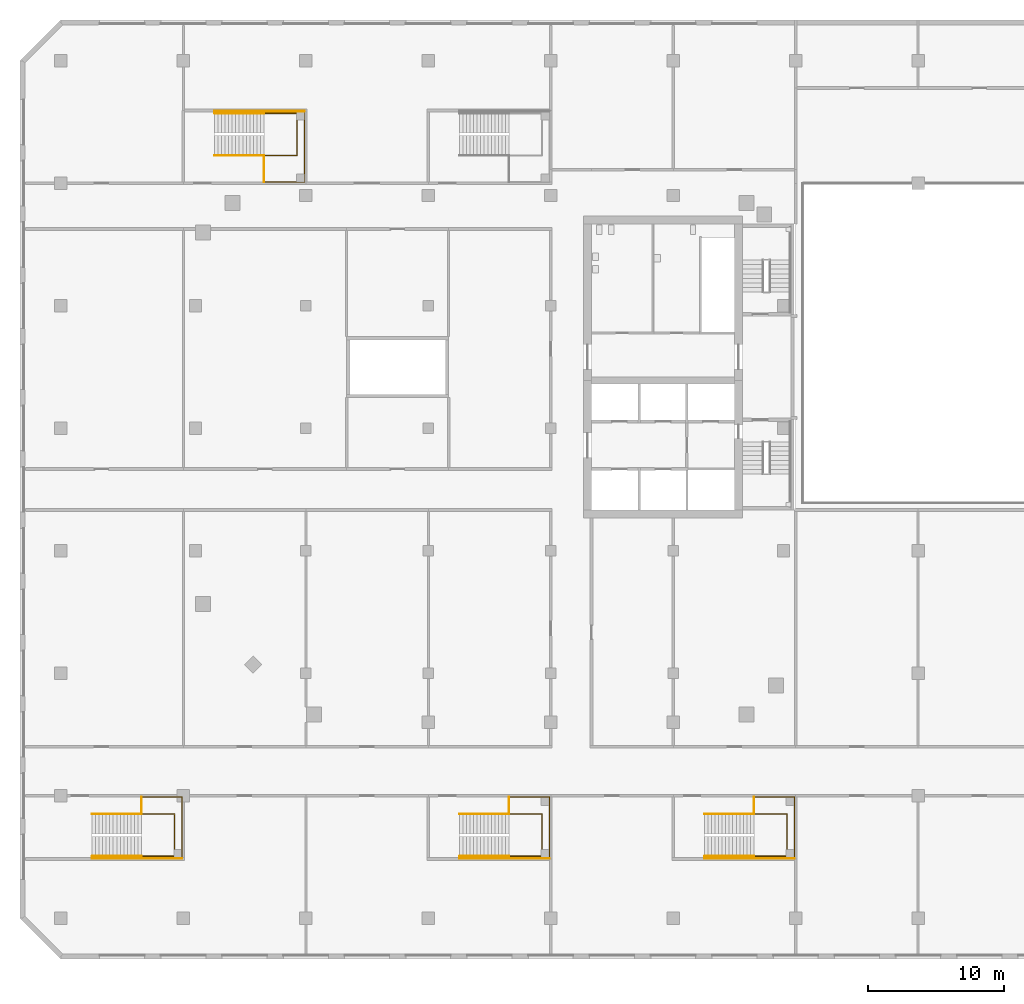
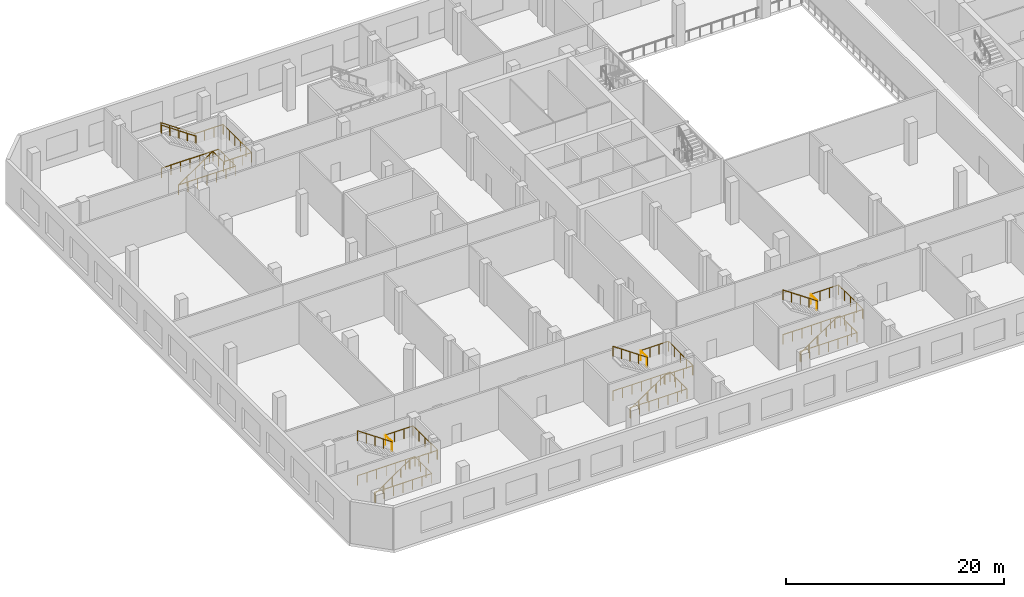
# One storey, part 17 of 21: 24 railings.
"""IFC4 building model written with IfcOpenShell, lengths in metres."""

from ifc_helpers import new_model, si_unit, direction, frame, origin, origin_2d, place, context, subcontext, project, spatial, circle, extrude, material, type_object, element, save


model = new_model("IFC4")

# Units and contexts
model_context = context("Model", 3, precision=1e-05, world=origin(), true_north=direction((0.0, 1.0)))
body_context = subcontext(model_context, "Body", "Model", "MODEL_VIEW")
ifc_project = project(units=[si_unit("LENGTHUNIT", "METRE"), si_unit("AREAUNIT", "SQUARE_METRE"), si_unit("VOLUMEUNIT", "CUBIC_METRE"), si_unit("PLANEANGLEUNIT", "RADIAN"), si_unit("MASSUNIT", "GRAM", prefix="KILO")], contexts=[model_context])

# Site, building, storey
site_placement = place(None, origin())
site = spatial("IfcSite", under=ifc_project, at=site_placement, CompositionType="ELEMENT")
building_placement = place(site_placement, origin())
building = spatial("IfcBuilding", under=site, at=building_placement, Name="Cinnabar Reach Civic Tower", CompositionType="ELEMENT")
storey_placement = place(building_placement, frame((0.0, 0.0, 16.0)))
storey = spatial("IfcBuildingStorey", under=building, at=storey_placement, Name="L03", CompositionType="ELEMENT", Elevation=16.0)

# Railings
ifc_material_1 = material(Name="Stainless steel and glass", Category="steel")
railing_type_1 = type_object("IfcRailingType", Name="Podium guard 1100", PredefinedType="GUARDRAIL", material=ifc_material_1)
railing_1_placement = place(storey_placement, frame((-75.06, -1.35, 2.5)))
element("IfcRailing", 1, at=railing_1_placement, inside=storey, type_object=railing_type_1, Name="Stair guard PS1 L03", PredefinedType="GUARDRAIL", context=body_context, shape_type="SweptSolid", body=[
    extrude(circle(Radius=0.024, at=origin_2d()), frame((0.0, 0.0, 1.076), z_axis=(-0.824306135323, 0.0, 0.566144323711), x_axis=(0.0, -1.0, 0.0)), (0.0, 0.0, 1.0), 4.4158),
    extrude(circle(Radius=0.021, at=origin_2d()), origin(), (0.0, 0.0, 1.0), 1.052),
    extrude(circle(Radius=0.021, at=origin_2d()), frame((-0.91, 0.0, 0.625)), (0.0, 0.0, 1.0), 1.052),
    extrude(circle(Radius=0.021, at=origin_2d()), frame((-1.82, 0.0, 1.25)), (0.0, 0.0, 1.0), 1.052),
    extrude(circle(Radius=0.021, at=origin_2d()), frame((-2.73, 0.0, 1.875)), (0.0, 0.0, 1.0), 1.052),
    extrude(circle(Radius=0.021, at=origin_2d()), frame((-3.64, 0.0, 2.5)), (0.0, 0.0, 1.0), 1.052),
])
railing_2_placement = place(storey_placement, frame((-75.06, -0.1, 2.5)))
element("IfcRailing", 2, at=railing_2_placement, inside=storey, type_object=railing_type_1, Name="Landing guard PS1 L03", PredefinedType="GUARDRAIL", context=body_context, shape_type="SweptSolid", body=[
    extrude(circle(Radius=0.024, at=origin_2d()), frame((0.0, 0.0, 1.076), z_axis=(1.0, 0.0, 0.0), x_axis=(0.0, 1.0, 0.0)), (0.0, 0.0, 1.0), 2.96),
    extrude(circle(Radius=0.024, at=origin_2d()), frame((2.96, 0.0, 1.076), z_axis=(0.0, -1.0, 0.0), x_axis=(1.0, 0.0, 0.0)), (0.0, 0.0, 1.0), 4.4),
    extrude(circle(Radius=0.021, at=origin_2d()), origin(), (0.0, 0.0, 1.0), 1.052),
    extrude(circle(Radius=0.021, at=origin_2d()), frame((0.9867, 0.0, 0.0)), (0.0, 0.0, 1.0), 1.052),
    extrude(circle(Radius=0.021, at=origin_2d()), frame((1.9733, 0.0, 0.0)), (0.0, 0.0, 1.0), 1.052),
    extrude(circle(Radius=0.021, at=origin_2d()), frame((2.96, 0.0, 0.0)), (0.0, 0.0, 1.0), 1.052),
    extrude(circle(Radius=0.021, at=origin_2d()), frame((2.96, -1.1, 0.0)), (0.0, 0.0, 1.0), 1.052),
    extrude(circle(Radius=0.021, at=origin_2d()), frame((2.96, -2.2, 0.0)), (0.0, 0.0, 1.0), 1.052),
    extrude(circle(Radius=0.021, at=origin_2d()), frame((2.96, -3.3, 0.0)), (0.0, 0.0, 1.0), 1.052),
    extrude(circle(Radius=0.021, at=origin_2d()), frame((2.96, -4.4, 0.0)), (0.0, 0.0, 1.0), 1.052),
])
railing_3_placement = place(storey_placement, frame((-75.06, -1.3, 2.5)))
element("IfcRailing", 3, at=railing_3_placement, inside=storey, type_object=railing_type_1, Name="Landing guard PS1 L03 inner", PredefinedType="GUARDRAIL", context=body_context, shape_type="SweptSolid", body=[
    extrude(circle(Radius=0.024, at=origin_2d()), frame((0.0, 0.0, 1.076), z_axis=(0.0, 1.0, 0.0), x_axis=(-1.0, 0.0, 0.0)), (0.0, 0.0, 1.0), 1.2),
    extrude(circle(Radius=0.021, at=origin_2d()), origin(), (0.0, 0.0, 1.0), 1.052),
    extrude(circle(Radius=0.021, at=origin_2d()), frame((0.0, 1.2, 0.0)), (0.0, 0.0, 1.0), 1.052),
])
railing_4_placement = place(storey_placement, frame((-78.7, -4.6, 0.0)))
element("IfcRailing", 4, at=railing_4_placement, inside=storey, type_object=railing_type_1, Name="Stair wall side guard PS1 L03", PredefinedType="GUARDRAIL", context=body_context, shape_type="SweptSolid", body=[
    extrude(circle(Radius=0.024, at=origin_2d()), frame((0.0, 0.0, 1.076), z_axis=(0.824306135323, 0.0, 0.566144323711), x_axis=(0.0, 1.0, 0.0)), (0.0, 0.0, 1.0), 4.4158),
    extrude(circle(Radius=0.024, at=origin_2d()), frame((3.64, 0.0, 3.576), z_axis=(1.0, 0.0, 0.0), x_axis=(0.0, 1.0, 0.0)), (0.0, 0.0, 1.0), 2.96),
    extrude(circle(Radius=0.021, at=origin_2d()), origin(), (0.0, 0.0, 1.0), 1.052),
    extrude(circle(Radius=0.021, at=origin_2d()), frame((0.91, 0.0, 0.625)), (0.0, 0.0, 1.0), 1.052),
    extrude(circle(Radius=0.021, at=origin_2d()), frame((1.82, 0.0, 1.25)), (0.0, 0.0, 1.0), 1.052),
    extrude(circle(Radius=0.021, at=origin_2d()), frame((2.73, 0.0, 1.875)), (0.0, 0.0, 1.0), 1.052),
    extrude(circle(Radius=0.021, at=origin_2d()), frame((3.64, 0.0, 2.5)), (0.0, 0.0, 1.0), 1.052),
    extrude(circle(Radius=0.021, at=origin_2d()), frame((4.6267, 0.0, 2.5)), (0.0, 0.0, 1.0), 1.052),
    extrude(circle(Radius=0.021, at=origin_2d()), frame((5.6133, 0.0, 2.5)), (0.0, 0.0, 1.0), 1.052),
    extrude(circle(Radius=0.021, at=origin_2d()), frame((6.6, 0.0, 2.5)), (0.0, 0.0, 1.0), 1.052),
])
railing_5_placement = place(storey_placement, frame((-78.7, -4.45, 0.0)))
element("IfcRailing", 5, at=railing_5_placement, inside=storey, type_object=railing_type_1, Name="Stair well guard PS1 L03", PredefinedType="GUARDRAIL", context=body_context, shape_type="SweptSolid", body=[
    extrude(circle(Radius=0.024, at=origin_2d()), frame((0.0, 0.0, 1.076), z_axis=(1.0, 0.0, 0.0), x_axis=(0.0, 1.0, 0.0)), (0.0, 0.0, 1.0), 6.05),
    extrude(circle(Radius=0.024, at=origin_2d()), frame((6.05, 0.0, 1.076), z_axis=(0.0, 1.0, 0.0), x_axis=(-1.0, 0.0, 0.0)), (0.0, 0.0, 1.0), 3.1),
    extrude(circle(Radius=0.024, at=origin_2d()), frame((6.05, 3.1, 1.076), z_axis=(-1.0, 0.0, 0.0), x_axis=(0.0, -1.0, 0.0)), (0.0, 0.0, 1.0), 6.05),
    extrude(circle(Radius=0.021, at=origin_2d()), origin(), (0.0, 0.0, 1.0), 1.052),
    extrude(circle(Radius=0.021, at=origin_2d()), frame((1.0083, 0.0, 0.0)), (0.0, 0.0, 1.0), 1.052),
    extrude(circle(Radius=0.021, at=origin_2d()), frame((2.0167, 0.0, 0.0)), (0.0, 0.0, 1.0), 1.052),
    extrude(circle(Radius=0.021, at=origin_2d()), frame((3.025, 0.0, 0.0)), (0.0, 0.0, 1.0), 1.052),
    extrude(circle(Radius=0.021, at=origin_2d()), frame((4.0333, 0.0, 0.0)), (0.0, 0.0, 1.0), 1.052),
    extrude(circle(Radius=0.021, at=origin_2d()), frame((5.0417, 0.0, 0.0)), (0.0, 0.0, 1.0), 1.052),
    extrude(circle(Radius=0.021, at=origin_2d()), frame((6.05, 0.0, 0.0)), (0.0, 0.0, 1.0), 1.052),
    extrude(circle(Radius=0.021, at=origin_2d()), frame((6.05, 1.0333, 0.0)), (0.0, 0.0, 1.0), 1.052),
    extrude(circle(Radius=0.021, at=origin_2d()), frame((6.05, 2.0667, 0.0)), (0.0, 0.0, 1.0), 1.052),
    extrude(circle(Radius=0.021, at=origin_2d()), frame((6.05, 3.1, 0.0)), (0.0, 0.0, 1.0), 1.052),
    extrude(circle(Radius=0.021, at=origin_2d()), frame((5.0417, 3.1, 0.0)), (0.0, 0.0, 1.0), 1.052),
    extrude(circle(Radius=0.021, at=origin_2d()), frame((4.0333, 3.1, 0.0)), (0.0, 0.0, 1.0), 1.052),
    extrude(circle(Radius=0.021, at=origin_2d()), frame((3.025, 3.1, 0.0)), (0.0, 0.0, 1.0), 1.052),
    extrude(circle(Radius=0.021, at=origin_2d()), frame((2.0167, 3.1, 0.0)), (0.0, 0.0, 1.0), 1.052),
    extrude(circle(Radius=0.021, at=origin_2d()), frame((1.0083, 3.1, 0.0)), (0.0, 0.0, 1.0), 1.052),
    extrude(circle(Radius=0.021, at=origin_2d()), frame((0.0, 3.1, 0.0)), (0.0, 0.0, 1.0), 1.052),
])
railing_6_placement = place(storey_placement, frame((-69.7, 47.05, 0.0)))
element("IfcRailing", 6, at=railing_6_placement, inside=storey, type_object=railing_type_1, Name="Stair guard PS2 L03", PredefinedType="GUARDRAIL", context=body_context, shape_type="SweptSolid", body=[
    extrude(circle(Radius=0.024, at=origin_2d()), frame((0.0, 0.0, 1.076), z_axis=(0.824306135323, 0.0, 0.566144323711), x_axis=(0.0, 1.0, 0.0)), (0.0, 0.0, 1.0), 4.4158),
    extrude(circle(Radius=0.021, at=origin_2d()), origin(), (0.0, 0.0, 1.0), 1.052),
    extrude(circle(Radius=0.021, at=origin_2d()), frame((0.91, 0.0, 0.625)), (0.0, 0.0, 1.0), 1.052),
    extrude(circle(Radius=0.021, at=origin_2d()), frame((1.82, 0.0, 1.25)), (0.0, 0.0, 1.0), 1.052),
    extrude(circle(Radius=0.021, at=origin_2d()), frame((2.73, 0.0, 1.875)), (0.0, 0.0, 1.0), 1.052),
    extrude(circle(Radius=0.021, at=origin_2d()), frame((3.64, 0.0, 2.5)), (0.0, 0.0, 1.0), 1.052),
])
railing_7_placement = place(storey_placement, frame((-66.06, 45.1, 2.5)))
element("IfcRailing", 7, at=railing_7_placement, inside=storey, type_object=railing_type_1, Name="Landing guard PS2 L03", PredefinedType="GUARDRAIL", context=body_context, shape_type="SweptSolid", body=[
    extrude(circle(Radius=0.024, at=origin_2d()), frame((0.0, 0.0, 1.076), z_axis=(1.0, 0.0, 0.0), x_axis=(0.0, 1.0, 0.0)), (0.0, 0.0, 1.0), 2.96),
    extrude(circle(Radius=0.024, at=origin_2d()), frame((2.96, 0.0, 1.076), z_axis=(0.0, 1.0, 0.0), x_axis=(-1.0, 0.0, 0.0)), (0.0, 0.0, 1.0), 5.1),
    extrude(circle(Radius=0.021, at=origin_2d()), origin(), (0.0, 0.0, 1.0), 1.052),
    extrude(circle(Radius=0.021, at=origin_2d()), frame((0.9867, 0.0, 0.0)), (0.0, 0.0, 1.0), 1.052),
    extrude(circle(Radius=0.021, at=origin_2d()), frame((1.9733, 0.0, 0.0)), (0.0, 0.0, 1.0), 1.052),
    extrude(circle(Radius=0.021, at=origin_2d()), frame((2.96, 0.0, 0.0)), (0.0, 0.0, 1.0), 1.052),
    extrude(circle(Radius=0.021, at=origin_2d()), frame((2.96, 1.02, 0.0)), (0.0, 0.0, 1.0), 1.052),
    extrude(circle(Radius=0.021, at=origin_2d()), frame((2.96, 2.04, 0.0)), (0.0, 0.0, 1.0), 1.052),
    extrude(circle(Radius=0.021, at=origin_2d()), frame((2.96, 3.06, 0.0)), (0.0, 0.0, 1.0), 1.052),
    extrude(circle(Radius=0.021, at=origin_2d()), frame((2.96, 4.08, 0.0)), (0.0, 0.0, 1.0), 1.052),
    extrude(circle(Radius=0.021, at=origin_2d()), frame((2.96, 5.1, 0.0)), (0.0, 0.0, 1.0), 1.052),
])
railing_8_placement = place(storey_placement, frame((-66.06, 45.1, 2.5)))
element("IfcRailing", 8, at=railing_8_placement, inside=storey, type_object=railing_type_1, Name="Landing guard PS2 L03 inner", PredefinedType="GUARDRAIL", context=body_context, shape_type="SweptSolid", body=[
    extrude(circle(Radius=0.024, at=origin_2d()), frame((0.0, 0.0, 1.076), z_axis=(0.0, 1.0, 0.0), x_axis=(-1.0, 0.0, 0.0)), (0.0, 0.0, 1.0), 1.9),
    extrude(circle(Radius=0.021, at=origin_2d()), origin(), (0.0, 0.0, 1.0), 1.052),
    extrude(circle(Radius=0.021, at=origin_2d()), frame((0.0, 0.95, 0.0)), (0.0, 0.0, 1.0), 1.052),
    extrude(circle(Radius=0.021, at=origin_2d()), frame((0.0, 1.9, 0.0)), (0.0, 0.0, 1.0), 1.052),
])
railing_9_placement = place(storey_placement, frame((-63.1, 50.3, 2.5)))
element("IfcRailing", 9, at=railing_9_placement, inside=storey, type_object=railing_type_1, Name="Stair wall side guard PS2 L03", PredefinedType="GUARDRAIL", context=body_context, shape_type="SweptSolid", body=[
    extrude(circle(Radius=0.024, at=origin_2d()), frame((0.0, 0.0, 1.076), z_axis=(-1.0, 0.0, 0.0), x_axis=(0.0, -1.0, 0.0)), (0.0, 0.0, 1.0), 2.96),
    extrude(circle(Radius=0.024, at=origin_2d()), frame((-2.96, 0.0, 1.076), z_axis=(-0.824306135323, 0.0, 0.566144323711), x_axis=(0.0, -1.0, 0.0)), (0.0, 0.0, 1.0), 4.4158),
    extrude(circle(Radius=0.021, at=origin_2d()), origin(), (0.0, 0.0, 1.0), 1.052),
    extrude(circle(Radius=0.021, at=origin_2d()), frame((-0.9867, 0.0, 0.0)), (0.0, 0.0, 1.0), 1.052),
    extrude(circle(Radius=0.021, at=origin_2d()), frame((-1.9733, 0.0, 0.0)), (0.0, 0.0, 1.0), 1.052),
    extrude(circle(Radius=0.021, at=origin_2d()), frame((-2.96, 0.0, 0.0)), (0.0, 0.0, 1.0), 1.052),
    extrude(circle(Radius=0.021, at=origin_2d()), frame((-3.87, 0.0, 0.625)), (0.0, 0.0, 1.0), 1.052),
    extrude(circle(Radius=0.021, at=origin_2d()), frame((-4.78, 0.0, 1.25)), (0.0, 0.0, 1.0), 1.052),
    extrude(circle(Radius=0.021, at=origin_2d()), frame((-5.69, 0.0, 1.875)), (0.0, 0.0, 1.0), 1.052),
    extrude(circle(Radius=0.021, at=origin_2d()), frame((-6.6, 0.0, 2.5)), (0.0, 0.0, 1.0), 1.052),
])
railing_10_placement = place(storey_placement, frame((-69.7, 47.05, 0.0)))
element("IfcRailing", 10, at=railing_10_placement, inside=storey, type_object=railing_type_1, Name="Stair well guard PS2 L03", PredefinedType="GUARDRAIL", context=body_context, shape_type="SweptSolid", body=[
    extrude(circle(Radius=0.024, at=origin_2d()), frame((0.0, 0.0, 1.076), z_axis=(1.0, 0.0, 0.0), x_axis=(0.0, 1.0, 0.0)), (0.0, 0.0, 1.0), 6.05),
    extrude(circle(Radius=0.024, at=origin_2d()), frame((6.05, 0.0, 1.076), z_axis=(0.0, 1.0, 0.0), x_axis=(-1.0, 0.0, 0.0)), (0.0, 0.0, 1.0), 3.1),
    extrude(circle(Radius=0.024, at=origin_2d()), frame((6.05, 3.1, 1.076), z_axis=(-1.0, 0.0, 0.0), x_axis=(0.0, -1.0, 0.0)), (0.0, 0.0, 1.0), 6.05),
    extrude(circle(Radius=0.021, at=origin_2d()), origin(), (0.0, 0.0, 1.0), 1.052),
    extrude(circle(Radius=0.021, at=origin_2d()), frame((1.0083, 0.0, 0.0)), (0.0, 0.0, 1.0), 1.052),
    extrude(circle(Radius=0.021, at=origin_2d()), frame((2.0167, 0.0, 0.0)), (0.0, 0.0, 1.0), 1.052),
    extrude(circle(Radius=0.021, at=origin_2d()), frame((3.025, 0.0, 0.0)), (0.0, 0.0, 1.0), 1.052),
    extrude(circle(Radius=0.021, at=origin_2d()), frame((4.0333, 0.0, 0.0)), (0.0, 0.0, 1.0), 1.052),
    extrude(circle(Radius=0.021, at=origin_2d()), frame((5.0417, 0.0, 0.0)), (0.0, 0.0, 1.0), 1.052),
    extrude(circle(Radius=0.021, at=origin_2d()), frame((6.05, 0.0, 0.0)), (0.0, 0.0, 1.0), 1.052),
    extrude(circle(Radius=0.021, at=origin_2d()), frame((6.05, 1.0333, 0.0)), (0.0, 0.0, 1.0), 1.052),
    extrude(circle(Radius=0.021, at=origin_2d()), frame((6.05, 2.0667, 0.0)), (0.0, 0.0, 1.0), 1.052),
    extrude(circle(Radius=0.021, at=origin_2d()), frame((6.05, 3.1, 0.0)), (0.0, 0.0, 1.0), 1.052),
    extrude(circle(Radius=0.021, at=origin_2d()), frame((5.0417, 3.1, 0.0)), (0.0, 0.0, 1.0), 1.052),
    extrude(circle(Radius=0.021, at=origin_2d()), frame((4.0333, 3.1, 0.0)), (0.0, 0.0, 1.0), 1.052),
    extrude(circle(Radius=0.021, at=origin_2d()), frame((3.025, 3.1, 0.0)), (0.0, 0.0, 1.0), 1.052),
    extrude(circle(Radius=0.021, at=origin_2d()), frame((2.0167, 3.1, 0.0)), (0.0, 0.0, 1.0), 1.052),
    extrude(circle(Radius=0.021, at=origin_2d()), frame((1.0083, 3.1, 0.0)), (0.0, 0.0, 1.0), 1.052),
    extrude(circle(Radius=0.021, at=origin_2d()), frame((0.0, 3.1, 0.0)), (0.0, 0.0, 1.0), 1.052),
])
railing_11_placement = place(storey_placement, frame((-48.06, -1.35, 2.5)))
element("IfcRailing", 11, at=railing_11_placement, inside=storey, type_object=railing_type_1, Name="Stair guard PS8 L03", PredefinedType="GUARDRAIL", context=body_context, shape_type="SweptSolid", body=[
    extrude(circle(Radius=0.024, at=origin_2d()), frame((0.0, 0.0, 1.076), z_axis=(-0.824306135323, 0.0, 0.566144323711), x_axis=(0.0, -1.0, 0.0)), (0.0, 0.0, 1.0), 4.4158),
    extrude(circle(Radius=0.021, at=origin_2d()), origin(), (0.0, 0.0, 1.0), 1.052),
    extrude(circle(Radius=0.021, at=origin_2d()), frame((-0.91, 0.0, 0.625)), (0.0, 0.0, 1.0), 1.052),
    extrude(circle(Radius=0.021, at=origin_2d()), frame((-1.82, 0.0, 1.25)), (0.0, 0.0, 1.0), 1.052),
    extrude(circle(Radius=0.021, at=origin_2d()), frame((-2.73, 0.0, 1.875)), (0.0, 0.0, 1.0), 1.052),
    extrude(circle(Radius=0.021, at=origin_2d()), frame((-3.64, 0.0, 2.5)), (0.0, 0.0, 1.0), 1.052),
])
railing_12_placement = place(storey_placement, frame((-48.06, -0.1, 2.5)))
element("IfcRailing", 12, at=railing_12_placement, inside=storey, type_object=railing_type_1, Name="Landing guard PS8 L03", PredefinedType="GUARDRAIL", context=body_context, shape_type="SweptSolid", body=[
    extrude(circle(Radius=0.024, at=origin_2d()), frame((0.0, 0.0, 1.076), z_axis=(1.0, 0.0, 0.0), x_axis=(0.0, 1.0, 0.0)), (0.0, 0.0, 1.0), 2.96),
    extrude(circle(Radius=0.024, at=origin_2d()), frame((2.96, 0.0, 1.076), z_axis=(0.0, -1.0, 0.0), x_axis=(1.0, 0.0, 0.0)), (0.0, 0.0, 1.0), 4.4),
    extrude(circle(Radius=0.021, at=origin_2d()), origin(), (0.0, 0.0, 1.0), 1.052),
    extrude(circle(Radius=0.021, at=origin_2d()), frame((0.9867, 0.0, 0.0)), (0.0, 0.0, 1.0), 1.052),
    extrude(circle(Radius=0.021, at=origin_2d()), frame((1.9733, 0.0, 0.0)), (0.0, 0.0, 1.0), 1.052),
    extrude(circle(Radius=0.021, at=origin_2d()), frame((2.96, 0.0, 0.0)), (0.0, 0.0, 1.0), 1.052),
    extrude(circle(Radius=0.021, at=origin_2d()), frame((2.96, -1.1, 0.0)), (0.0, 0.0, 1.0), 1.052),
    extrude(circle(Radius=0.021, at=origin_2d()), frame((2.96, -2.2, 0.0)), (0.0, 0.0, 1.0), 1.052),
    extrude(circle(Radius=0.021, at=origin_2d()), frame((2.96, -3.3, 0.0)), (0.0, 0.0, 1.0), 1.052),
    extrude(circle(Radius=0.021, at=origin_2d()), frame((2.96, -4.4, 0.0)), (0.0, 0.0, 1.0), 1.052),
])
railing_13_placement = place(storey_placement, frame((-48.06, -1.3, 2.5)))
element("IfcRailing", 13, at=railing_13_placement, inside=storey, type_object=railing_type_1, Name="Landing guard PS8 L03 inner", PredefinedType="GUARDRAIL", context=body_context, shape_type="SweptSolid", body=[
    extrude(circle(Radius=0.024, at=origin_2d()), frame((0.0, 0.0, 1.076), z_axis=(0.0, 1.0, 0.0), x_axis=(-1.0, 0.0, 0.0)), (0.0, 0.0, 1.0), 1.2),
    extrude(circle(Radius=0.021, at=origin_2d()), origin(), (0.0, 0.0, 1.0), 1.052),
    extrude(circle(Radius=0.021, at=origin_2d()), frame((0.0, 1.2, 0.0)), (0.0, 0.0, 1.0), 1.052),
])
railing_14_placement = place(storey_placement, frame((-51.7, -4.6, 0.0)))
element("IfcRailing", 14, at=railing_14_placement, inside=storey, type_object=railing_type_1, Name="Stair wall side guard PS8 L03", PredefinedType="GUARDRAIL", context=body_context, shape_type="SweptSolid", body=[
    extrude(circle(Radius=0.024, at=origin_2d()), frame((0.0, 0.0, 1.076), z_axis=(0.824306135323, 0.0, 0.566144323711), x_axis=(0.0, 1.0, 0.0)), (0.0, 0.0, 1.0), 4.4158),
    extrude(circle(Radius=0.024, at=origin_2d()), frame((3.64, 0.0, 3.576), z_axis=(1.0, 0.0, 0.0), x_axis=(0.0, 1.0, 0.0)), (0.0, 0.0, 1.0), 2.96),
    extrude(circle(Radius=0.021, at=origin_2d()), origin(), (0.0, 0.0, 1.0), 1.052),
    extrude(circle(Radius=0.021, at=origin_2d()), frame((0.91, 0.0, 0.625)), (0.0, 0.0, 1.0), 1.052),
    extrude(circle(Radius=0.021, at=origin_2d()), frame((1.82, 0.0, 1.25)), (0.0, 0.0, 1.0), 1.052),
    extrude(circle(Radius=0.021, at=origin_2d()), frame((2.73, 0.0, 1.875)), (0.0, 0.0, 1.0), 1.052),
    extrude(circle(Radius=0.021, at=origin_2d()), frame((3.64, 0.0, 2.5)), (0.0, 0.0, 1.0), 1.052),
    extrude(circle(Radius=0.021, at=origin_2d()), frame((4.6267, 0.0, 2.5)), (0.0, 0.0, 1.0), 1.052),
    extrude(circle(Radius=0.021, at=origin_2d()), frame((5.6133, 0.0, 2.5)), (0.0, 0.0, 1.0), 1.052),
    extrude(circle(Radius=0.021, at=origin_2d()), frame((6.6, 0.0, 2.5)), (0.0, 0.0, 1.0), 1.052),
])
railing_15_placement = place(storey_placement, frame((-51.7, -4.45, 0.0)))
element("IfcRailing", 15, at=railing_15_placement, inside=storey, type_object=railing_type_1, Name="Stair well guard PS8 L03", PredefinedType="GUARDRAIL", context=body_context, shape_type="SweptSolid", body=[
    extrude(circle(Radius=0.024, at=origin_2d()), frame((0.0, 0.0, 1.076), z_axis=(1.0, 0.0, 0.0), x_axis=(0.0, 1.0, 0.0)), (0.0, 0.0, 1.0), 6.05),
    extrude(circle(Radius=0.024, at=origin_2d()), frame((6.05, 0.0, 1.076), z_axis=(0.0, 1.0, 0.0), x_axis=(-1.0, 0.0, 0.0)), (0.0, 0.0, 1.0), 3.1),
    extrude(circle(Radius=0.024, at=origin_2d()), frame((6.05, 3.1, 1.076), z_axis=(-1.0, 0.0, 0.0), x_axis=(0.0, -1.0, 0.0)), (0.0, 0.0, 1.0), 6.05),
    extrude(circle(Radius=0.021, at=origin_2d()), origin(), (0.0, 0.0, 1.0), 1.052),
    extrude(circle(Radius=0.021, at=origin_2d()), frame((1.0083, 0.0, 0.0)), (0.0, 0.0, 1.0), 1.052),
    extrude(circle(Radius=0.021, at=origin_2d()), frame((2.0167, 0.0, 0.0)), (0.0, 0.0, 1.0), 1.052),
    extrude(circle(Radius=0.021, at=origin_2d()), frame((3.025, 0.0, 0.0)), (0.0, 0.0, 1.0), 1.052),
    extrude(circle(Radius=0.021, at=origin_2d()), frame((4.0333, 0.0, 0.0)), (0.0, 0.0, 1.0), 1.052),
    extrude(circle(Radius=0.021, at=origin_2d()), frame((5.0417, 0.0, 0.0)), (0.0, 0.0, 1.0), 1.052),
    extrude(circle(Radius=0.021, at=origin_2d()), frame((6.05, 0.0, 0.0)), (0.0, 0.0, 1.0), 1.052),
    extrude(circle(Radius=0.021, at=origin_2d()), frame((6.05, 1.0333, 0.0)), (0.0, 0.0, 1.0), 1.052),
    extrude(circle(Radius=0.021, at=origin_2d()), frame((6.05, 2.0667, 0.0)), (0.0, 0.0, 1.0), 1.052),
    extrude(circle(Radius=0.021, at=origin_2d()), frame((6.05, 3.1, 0.0)), (0.0, 0.0, 1.0), 1.052),
    extrude(circle(Radius=0.021, at=origin_2d()), frame((5.0417, 3.1, 0.0)), (0.0, 0.0, 1.0), 1.052),
    extrude(circle(Radius=0.021, at=origin_2d()), frame((4.0333, 3.1, 0.0)), (0.0, 0.0, 1.0), 1.052),
    extrude(circle(Radius=0.021, at=origin_2d()), frame((3.025, 3.1, 0.0)), (0.0, 0.0, 1.0), 1.052),
    extrude(circle(Radius=0.021, at=origin_2d()), frame((2.0167, 3.1, 0.0)), (0.0, 0.0, 1.0), 1.052),
    extrude(circle(Radius=0.021, at=origin_2d()), frame((1.0083, 3.1, 0.0)), (0.0, 0.0, 1.0), 1.052),
    extrude(circle(Radius=0.021, at=origin_2d()), frame((0.0, 3.1, 0.0)), (0.0, 0.0, 1.0), 1.052),
])
railing_16_placement = place(storey_placement, frame((-30.06, -1.35, 2.5)))
element("IfcRailing", 16, at=railing_16_placement, inside=storey, type_object=railing_type_1, Name="Stair guard PS9 L03", PredefinedType="GUARDRAIL", context=body_context, shape_type="SweptSolid", body=[
    extrude(circle(Radius=0.024, at=origin_2d()), frame((0.0, 0.0, 1.076), z_axis=(-0.824306135323, 0.0, 0.566144323711), x_axis=(0.0, -1.0, 0.0)), (0.0, 0.0, 1.0), 4.4158),
    extrude(circle(Radius=0.021, at=origin_2d()), origin(), (0.0, 0.0, 1.0), 1.052),
    extrude(circle(Radius=0.021, at=origin_2d()), frame((-0.91, 0.0, 0.625)), (0.0, 0.0, 1.0), 1.052),
    extrude(circle(Radius=0.021, at=origin_2d()), frame((-1.82, 0.0, 1.25)), (0.0, 0.0, 1.0), 1.052),
    extrude(circle(Radius=0.021, at=origin_2d()), frame((-2.73, 0.0, 1.875)), (0.0, 0.0, 1.0), 1.052),
    extrude(circle(Radius=0.021, at=origin_2d()), frame((-3.64, 0.0, 2.5)), (0.0, 0.0, 1.0), 1.052),
])
railing_17_placement = place(storey_placement, frame((-30.06, -0.1, 2.5)))
element("IfcRailing", 17, at=railing_17_placement, inside=storey, type_object=railing_type_1, Name="Landing guard PS9 L03", PredefinedType="GUARDRAIL", context=body_context, shape_type="SweptSolid", body=[
    extrude(circle(Radius=0.024, at=origin_2d()), frame((0.0, 0.0, 1.076), z_axis=(1.0, 0.0, 0.0), x_axis=(0.0, 1.0, 0.0)), (0.0, 0.0, 1.0), 2.96),
    extrude(circle(Radius=0.024, at=origin_2d()), frame((2.96, 0.0, 1.076), z_axis=(0.0, -1.0, 0.0), x_axis=(1.0, 0.0, 0.0)), (0.0, 0.0, 1.0), 4.4),
    extrude(circle(Radius=0.021, at=origin_2d()), origin(), (0.0, 0.0, 1.0), 1.052),
    extrude(circle(Radius=0.021, at=origin_2d()), frame((0.9867, 0.0, 0.0)), (0.0, 0.0, 1.0), 1.052),
    extrude(circle(Radius=0.021, at=origin_2d()), frame((1.9733, 0.0, 0.0)), (0.0, 0.0, 1.0), 1.052),
    extrude(circle(Radius=0.021, at=origin_2d()), frame((2.96, 0.0, 0.0)), (0.0, 0.0, 1.0), 1.052),
    extrude(circle(Radius=0.021, at=origin_2d()), frame((2.96, -1.1, 0.0)), (0.0, 0.0, 1.0), 1.052),
    extrude(circle(Radius=0.021, at=origin_2d()), frame((2.96, -2.2, 0.0)), (0.0, 0.0, 1.0), 1.052),
    extrude(circle(Radius=0.021, at=origin_2d()), frame((2.96, -3.3, 0.0)), (0.0, 0.0, 1.0), 1.052),
    extrude(circle(Radius=0.021, at=origin_2d()), frame((2.96, -4.4, 0.0)), (0.0, 0.0, 1.0), 1.052),
])
railing_18_placement = place(storey_placement, frame((-30.06, -1.3, 2.5)))
element("IfcRailing", 18, at=railing_18_placement, inside=storey, type_object=railing_type_1, Name="Landing guard PS9 L03 inner", PredefinedType="GUARDRAIL", context=body_context, shape_type="SweptSolid", body=[
    extrude(circle(Radius=0.024, at=origin_2d()), frame((0.0, 0.0, 1.076), z_axis=(0.0, 1.0, 0.0), x_axis=(-1.0, 0.0, 0.0)), (0.0, 0.0, 1.0), 1.2),
    extrude(circle(Radius=0.021, at=origin_2d()), origin(), (0.0, 0.0, 1.0), 1.052),
    extrude(circle(Radius=0.021, at=origin_2d()), frame((0.0, 1.2, 0.0)), (0.0, 0.0, 1.0), 1.052),
])
railing_19_placement = place(storey_placement, frame((-33.7, -4.6, 0.0)))
element("IfcRailing", 19, at=railing_19_placement, inside=storey, type_object=railing_type_1, Name="Stair wall side guard PS9 L03", PredefinedType="GUARDRAIL", context=body_context, shape_type="SweptSolid", body=[
    extrude(circle(Radius=0.024, at=origin_2d()), frame((0.0, 0.0, 1.076), z_axis=(0.824306135323, 0.0, 0.566144323711), x_axis=(0.0, 1.0, 0.0)), (0.0, 0.0, 1.0), 4.4158),
    extrude(circle(Radius=0.024, at=origin_2d()), frame((3.64, 0.0, 3.576), z_axis=(1.0, 0.0, 0.0), x_axis=(0.0, 1.0, 0.0)), (0.0, 0.0, 1.0), 2.96),
    extrude(circle(Radius=0.021, at=origin_2d()), origin(), (0.0, 0.0, 1.0), 1.052),
    extrude(circle(Radius=0.021, at=origin_2d()), frame((0.91, 0.0, 0.625)), (0.0, 0.0, 1.0), 1.052),
    extrude(circle(Radius=0.021, at=origin_2d()), frame((1.82, 0.0, 1.25)), (0.0, 0.0, 1.0), 1.052),
    extrude(circle(Radius=0.021, at=origin_2d()), frame((2.73, 0.0, 1.875)), (0.0, 0.0, 1.0), 1.052),
    extrude(circle(Radius=0.021, at=origin_2d()), frame((3.64, 0.0, 2.5)), (0.0, 0.0, 1.0), 1.052),
    extrude(circle(Radius=0.021, at=origin_2d()), frame((4.6267, 0.0, 2.5)), (0.0, 0.0, 1.0), 1.052),
    extrude(circle(Radius=0.021, at=origin_2d()), frame((5.6133, 0.0, 2.5)), (0.0, 0.0, 1.0), 1.052),
    extrude(circle(Radius=0.021, at=origin_2d()), frame((6.6, 0.0, 2.5)), (0.0, 0.0, 1.0), 1.052),
])
railing_20_placement = place(storey_placement, frame((-33.7, -4.45, 0.0)))
element("IfcRailing", 20, at=railing_20_placement, inside=storey, type_object=railing_type_1, Name="Stair well guard PS9 L03", PredefinedType="GUARDRAIL", context=body_context, shape_type="SweptSolid", body=[
    extrude(circle(Radius=0.024, at=origin_2d()), frame((0.0, 0.0, 1.076), z_axis=(1.0, 0.0, 0.0), x_axis=(0.0, 1.0, 0.0)), (0.0, 0.0, 1.0), 6.05),
    extrude(circle(Radius=0.024, at=origin_2d()), frame((6.05, 0.0, 1.076), z_axis=(0.0, 1.0, 0.0), x_axis=(-1.0, 0.0, 0.0)), (0.0, 0.0, 1.0), 3.1),
    extrude(circle(Radius=0.024, at=origin_2d()), frame((6.05, 3.1, 1.076), z_axis=(-1.0, 0.0, 0.0), x_axis=(0.0, -1.0, 0.0)), (0.0, 0.0, 1.0), 6.05),
    extrude(circle(Radius=0.021, at=origin_2d()), origin(), (0.0, 0.0, 1.0), 1.052),
    extrude(circle(Radius=0.021, at=origin_2d()), frame((1.0083, 0.0, 0.0)), (0.0, 0.0, 1.0), 1.052),
    extrude(circle(Radius=0.021, at=origin_2d()), frame((2.0167, 0.0, 0.0)), (0.0, 0.0, 1.0), 1.052),
    extrude(circle(Radius=0.021, at=origin_2d()), frame((3.025, 0.0, 0.0)), (0.0, 0.0, 1.0), 1.052),
    extrude(circle(Radius=0.021, at=origin_2d()), frame((4.0333, 0.0, 0.0)), (0.0, 0.0, 1.0), 1.052),
    extrude(circle(Radius=0.021, at=origin_2d()), frame((5.0417, 0.0, 0.0)), (0.0, 0.0, 1.0), 1.052),
    extrude(circle(Radius=0.021, at=origin_2d()), frame((6.05, 0.0, 0.0)), (0.0, 0.0, 1.0), 1.052),
    extrude(circle(Radius=0.021, at=origin_2d()), frame((6.05, 1.0333, 0.0)), (0.0, 0.0, 1.0), 1.052),
    extrude(circle(Radius=0.021, at=origin_2d()), frame((6.05, 2.0667, 0.0)), (0.0, 0.0, 1.0), 1.052),
    extrude(circle(Radius=0.021, at=origin_2d()), frame((6.05, 3.1, 0.0)), (0.0, 0.0, 1.0), 1.052),
    extrude(circle(Radius=0.021, at=origin_2d()), frame((5.0417, 3.1, 0.0)), (0.0, 0.0, 1.0), 1.052),
    extrude(circle(Radius=0.021, at=origin_2d()), frame((4.0333, 3.1, 0.0)), (0.0, 0.0, 1.0), 1.052),
    extrude(circle(Radius=0.021, at=origin_2d()), frame((3.025, 3.1, 0.0)), (0.0, 0.0, 1.0), 1.052),
    extrude(circle(Radius=0.021, at=origin_2d()), frame((2.0167, 3.1, 0.0)), (0.0, 0.0, 1.0), 1.052),
    extrude(circle(Radius=0.021, at=origin_2d()), frame((1.0083, 3.1, 0.0)), (0.0, 0.0, 1.0), 1.052),
    extrude(circle(Radius=0.021, at=origin_2d()), frame((0.0, 3.1, 0.0)), (0.0, 0.0, 1.0), 1.052),
])
ifc_material_2 = material(Name="Stainless steel", Category="steel")
railing_type_2 = type_object("IfcRailingType", Name="Podium stair handrail 900", PredefinedType="HANDRAIL", material=ifc_material_2)
railing_21_placement = place(storey_placement, frame((-78.7, -4.45, 0.0)))
element("IfcRailing", 21, at=railing_21_placement, inside=storey, type_object=railing_type_2, Name="Stair handrail PS1 L03", PredefinedType="HANDRAIL", context=body_context, shape_type="SweptSolid", body=[
    extrude(circle(Radius=0.024, at=origin_2d()), frame((0.0, 0.0, 0.876), z_axis=(0.824306135323, 0.0, 0.566144323711), x_axis=(0.0, 1.0, 0.0)), (0.0, 0.0, 1.0), 4.4158),
    extrude(circle(Radius=0.021, at=origin_2d()), origin(), (0.0, 0.0, 1.0), 0.852),
    extrude(circle(Radius=0.021, at=origin_2d()), frame((0.91, 0.0, 0.625)), (0.0, 0.0, 1.0), 0.852),
    extrude(circle(Radius=0.021, at=origin_2d()), frame((1.82, 0.0, 1.25)), (0.0, 0.0, 1.0), 0.852),
    extrude(circle(Radius=0.021, at=origin_2d()), frame((2.73, 0.0, 1.875)), (0.0, 0.0, 1.0), 0.852),
    extrude(circle(Radius=0.021, at=origin_2d()), frame((3.64, 0.0, 2.5)), (0.0, 0.0, 1.0), 0.852),
])
railing_22_placement = place(storey_placement, frame((-66.06, 50.15, 2.5)))
element("IfcRailing", 22, at=railing_22_placement, inside=storey, type_object=railing_type_2, Name="Stair handrail PS2 L03", PredefinedType="HANDRAIL", context=body_context, shape_type="SweptSolid", body=[
    extrude(circle(Radius=0.024, at=origin_2d()), frame((0.0, 0.0, 0.876), z_axis=(-0.824306135323, 0.0, 0.566144323711), x_axis=(0.0, -1.0, 0.0)), (0.0, 0.0, 1.0), 4.4158),
    extrude(circle(Radius=0.021, at=origin_2d()), origin(), (0.0, 0.0, 1.0), 0.852),
    extrude(circle(Radius=0.021, at=origin_2d()), frame((-0.91, 0.0, 0.625)), (0.0, 0.0, 1.0), 0.852),
    extrude(circle(Radius=0.021, at=origin_2d()), frame((-1.82, 0.0, 1.25)), (0.0, 0.0, 1.0), 0.852),
    extrude(circle(Radius=0.021, at=origin_2d()), frame((-2.73, 0.0, 1.875)), (0.0, 0.0, 1.0), 0.852),
    extrude(circle(Radius=0.021, at=origin_2d()), frame((-3.64, 0.0, 2.5)), (0.0, 0.0, 1.0), 0.852),
])
for number, where, name in (
    (23, (-51.7, -4.45, 0.0), "Stair handrail PS8 L03"),
    (24, (-33.7, -4.45, 0.0), "Stair handrail PS9 L03"),
):
    element("IfcRailing", number, at=place(storey_placement, frame(where)), inside=storey, type_object=railing_type_2, Name=name, PredefinedType="HANDRAIL", context=body_context, shape_type="SweptSolid", body=[
        extrude(circle(Radius=0.024, at=origin_2d()), frame((0.0, 0.0, 0.876), z_axis=(0.824306135323, 0.0, 0.566144323711), x_axis=(0.0, 1.0, 0.0)), (0.0, 0.0, 1.0), 4.4158),
        extrude(circle(Radius=0.021, at=origin_2d()), origin(), (0.0, 0.0, 1.0), 0.852),
        extrude(circle(Radius=0.021, at=origin_2d()), frame((0.91, 0.0, 0.625)), (0.0, 0.0, 1.0), 0.852),
        extrude(circle(Radius=0.021, at=origin_2d()), frame((1.82, 0.0, 1.25)), (0.0, 0.0, 1.0), 0.852),
        extrude(circle(Radius=0.021, at=origin_2d()), frame((2.73, 0.0, 1.875)), (0.0, 0.0, 1.0), 0.852),
        extrude(circle(Radius=0.021, at=origin_2d()), frame((3.64, 0.0, 2.5)), (0.0, 0.0, 1.0), 0.852),
    ])

save(model, "model.ifc")
